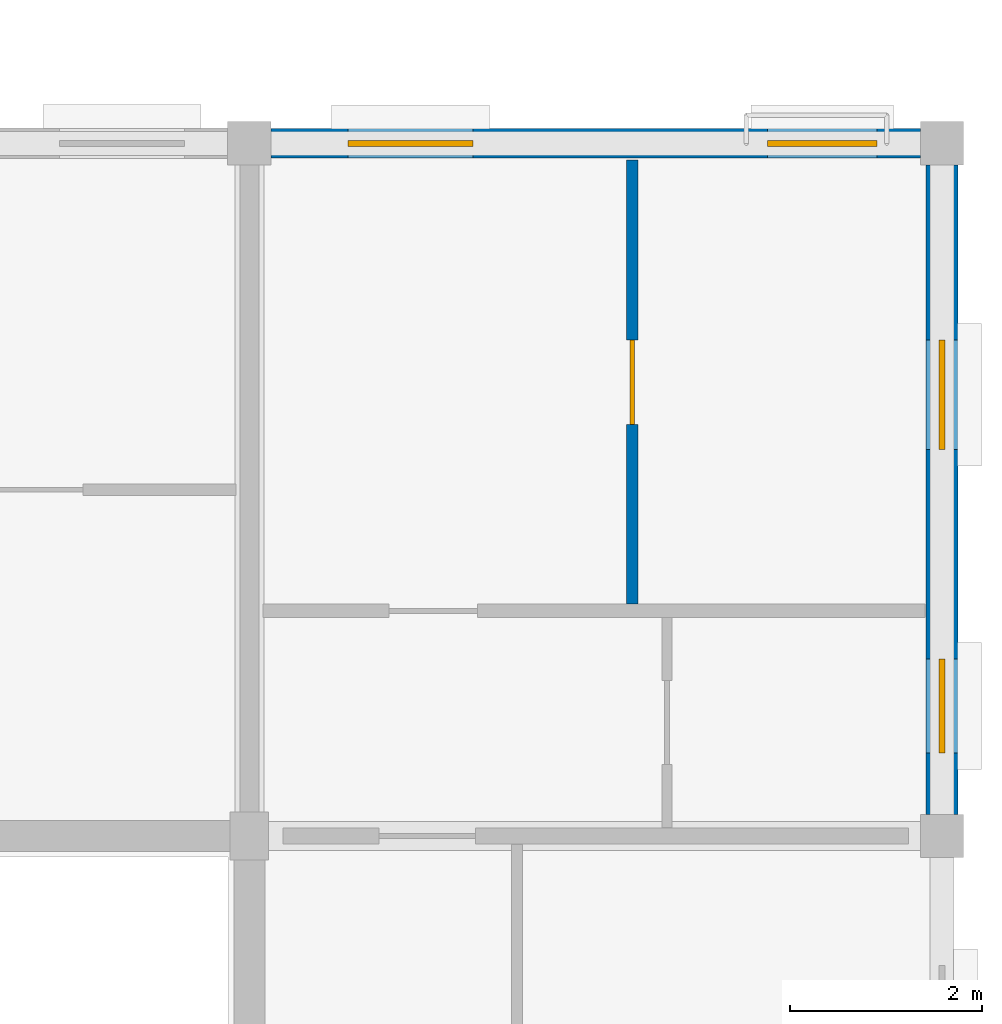
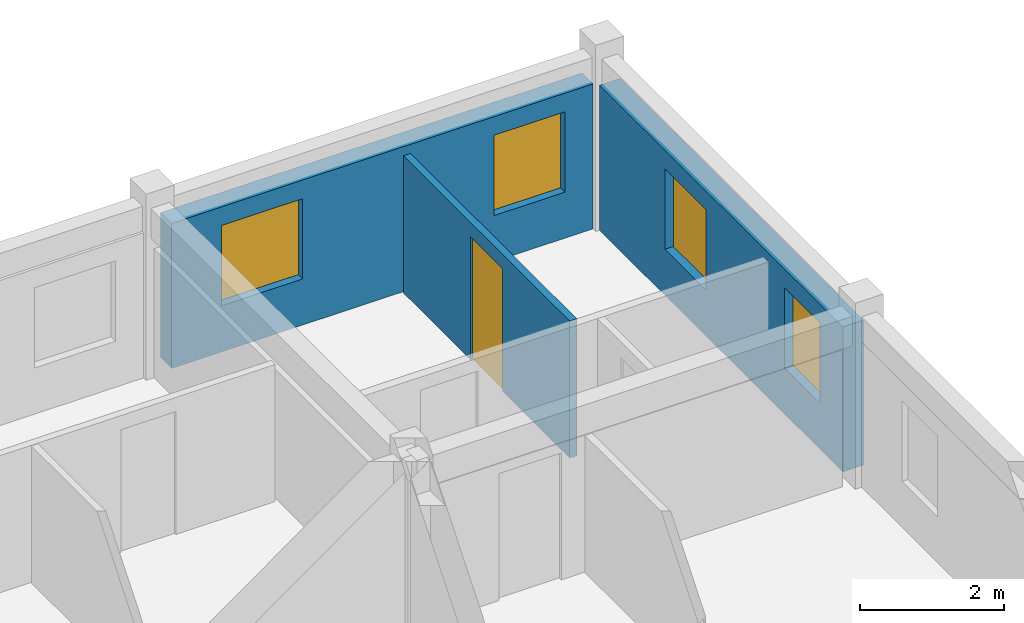
# One storey, part 25 of 28: 4 windows, 3 walls, 1 door, 5 openings.
"""IFC4 building model written with IfcOpenShell, lengths in metres."""

import ifcopenshell
import ifcopenshell.guid

model = None  # the IFC model being written
_history = None  # IfcOwnerHistory: only IFC2X3 demands one
_inside = {}  # id of a spatial element -> (the spatial element, [elements in it])
_under = {}  # id of a project, library or spatial element -> (it, [spatial elements below it])
_declared = {}  # id of a project -> (the project, [libraries it declares])
_typed = {}  # id of a type object -> (the type object, [elements of that type])
_made_of = {}  # id of a material, layer set ... -> (it, [elements and type objects made of it])


def new_model(schema):
    """Start an empty IFC model of exactly this schema.

    Asked for "IFC4X3", IfcOpenShell would pick the latest addendum, in which some entities
    have other attributes; the version numbers below select the first issue.
    IFC2X3 requires an IfcOwnerHistory on every rooted entity: one is made here for all.
    """
    global model, _history
    if schema == "IFC4X3":
        model = ifcopenshell.file(schema_version=(4, 3, 0, 0))
    else:
        model = ifcopenshell.file(schema=schema)
    _inside.clear()
    _under.clear()
    _declared.clear()
    _typed.clear()
    _made_of.clear()
    _history = None
    if model.schema == "IFC2X3":
        org = make("IfcOrganization", Name="unknown")
        user = make(
            "IfcPersonAndOrganization",
            ThePerson=make("IfcPerson", FamilyName="unknown"),
            TheOrganization=org,
        )
        app = make(
            "IfcApplication",
            ApplicationDeveloper=org,
            Version="unknown",
            ApplicationFullName="unknown",
            ApplicationIdentifier="unknown",
        )
        _history = make(
            "IfcOwnerHistory",
            OwningUser=user,
            OwningApplication=app,
            ChangeAction="ADDED",
            CreationDate=0,
        )
    return model


def make(cls, **values):
    """One entity of the class cls with the attributes given. An attribute that is None is left unset."""
    return model.create_entity(
        cls, **{name: value for name, value in values.items() if value is not None}
    )


def rooted(cls, **values):
    """An entity with a GlobalId (a new one), such as an element, a storey or a relation."""
    return make(cls, GlobalId=ifcopenshell.guid.new(), OwnerHistory=_history, **values)


def si_unit(unit_type, name, prefix=None):
    """IfcSIUnit, for example si_unit("LENGTHUNIT", "METRE", prefix="MILLI")."""
    return make("IfcSIUnit", UnitType=unit_type, Prefix=prefix, Name=name)


def assignment(units):
    """IfcUnitAssignment: the units of a project."""
    return None if units is None else make("IfcUnitAssignment", Units=units)


def point(xyz):
    """IfcCartesianPoint."""
    return None if xyz is None else make("IfcCartesianPoint", Coordinates=xyz)


def direction(xyz):
    """IfcDirection."""
    return None if xyz is None else make("IfcDirection", DirectionRatios=xyz)


def frame(location, z_axis=None, x_axis=None):
    """IfcAxis2Placement3D, a coordinate frame: its origin and axes. An axis left out is left unset."""
    return make(
        "IfcAxis2Placement3D",
        Location=point(location),
        Axis=direction(z_axis),
        RefDirection=direction(x_axis),
    )


def frame_2d(location, x_axis=None):
    """IfcAxis2Placement2D, a coordinate frame in the plane: its origin and x axis."""
    return make(
        "IfcAxis2Placement2D", Location=point(location), RefDirection=direction(x_axis)
    )


def origin():
    """The frame at (0, 0, 0) with its axes left unset."""
    return frame((0.0, 0.0, 0.0))


def place(relative_to, where):
    """IfcLocalPlacement: puts the frame where relative to a parent placement (None: the world)."""
    return make(
        "IfcLocalPlacement", PlacementRelTo=relative_to, RelativePlacement=where
    )


def context(
    kind, dimensions, precision=None, world=None, true_north=None, identifier=None
):
    """IfcGeometricRepresentationContext, for example the 3D "Model" context."""
    return make(
        "IfcGeometricRepresentationContext",
        ContextIdentifier=identifier,
        ContextType=kind,
        CoordinateSpaceDimension=dimensions,
        Precision=precision,
        WorldCoordinateSystem=world,
        TrueNorth=true_north,
    )


def subcontext(parent, identifier, kind, view, scale=None):
    """IfcGeometricRepresentationSubContext, for example "Body" below "Model"."""
    return make(
        "IfcGeometricRepresentationSubContext",
        ContextIdentifier=identifier,
        ContextType=kind,
        ParentContext=parent,
        TargetScale=scale,
        TargetView=view,
    )


def project(units=None, contexts=None):
    """IfcProject with its units and contexts."""
    return rooted(
        "IfcProject",
        Name="project",
        RepresentationContexts=contexts,
        UnitsInContext=assignment(units),
    )


def spatial(cls, under=None, at=None, **own):
    """A site, building, storey or space (cls), placed at a placement, below another one or the project."""
    s = rooted(cls, ObjectPlacement=at, **own)
    if under is not None:
        _under.setdefault(under.id(), (under, []))[1].append(s)
    return s


def profile(cls, at=None, kind="AREA", **sizes):
    """A parametric profile (cls). Its sizes go by their IFC names, for example OverallWidth=200.0."""
    return make(cls, ProfileType=kind, Position=at, **sizes)


def rectangle(**sizes):
    """IfcRectangleProfileDef."""
    return profile("IfcRectangleProfileDef", **sizes)


def extrude(swept, where, along, depth):
    """IfcExtrudedAreaSolid: the profile swept, set in the frame where, extruded along a direction by depth."""
    return make(
        "IfcExtrudedAreaSolid",
        SweptArea=swept,
        Position=where,
        ExtrudedDirection=direction(along),
        Depth=depth,
    )


def shape(context_of_items, identifier, shape_type, items):
    """IfcShapeRepresentation: the items that make up one representation, for example the "Body"."""
    return make(
        "IfcShapeRepresentation",
        ContextOfItems=context_of_items,
        RepresentationIdentifier=identifier,
        RepresentationType=shape_type,
        Items=items,
    )


def material(Name=None, Category=None):
    """IfcMaterial."""
    return make("IfcMaterial", Name=Name, Category=Category)


def layer(
    of_material, thickness, ventilated=None, Name=None, Category=None, Priority=None
):
    """IfcMaterialLayer: one layer of a wall or slab, of a material (None: an air gap)."""
    return make(
        "IfcMaterialLayer",
        Material=of_material,
        LayerThickness=thickness,
        IsVentilated=ventilated,
        Name=Name,
        Category=Category,
        Priority=Priority,
    )


def layer_set(layers, Name=None):
    """IfcMaterialLayerSet."""
    return make("IfcMaterialLayerSet", MaterialLayers=layers, LayerSetName=Name)


def made_of(thing, what):
    """Note that an element or type object is made of a material, layer set ...; save() writes the relation."""
    if what is not None:
        _made_of.setdefault(what.id(), (what, []))[1].append(thing)
    return thing


def type_object(cls, material=None, **own):
    """A type object (cls), such as IfcWallType, which elements share."""
    return made_of(rooted(cls, **own), material)


def element(
    cls,
    number,
    at=None,
    inside=None,
    cuts=None,
    type_object=None,
    material=None,
    context=None,
    identifier="Body",
    shape_type=None,
    held_by="IfcProductDefinitionShape",
    body=None,
    shapes=None,
    **own,
):
    """One element of the class cls, such as IfcWall. Its Tag is "e" and its number.

    at: its placement. inside: the storey or other place that contains it. cuts: it is an
    opening in that element (IfcRelVoidsElement). A single representation is given by context,
    identifier, shape_type and body (its items); several are given by shapes. held_by: the class
    of the entity that holds the representations. save() writes the other relations.
    """
    e = rooted(cls, Tag="e%d" % number, ObjectPlacement=at, **own)
    if body is not None:
        shapes = [shape(context, identifier, shape_type, body)]
    if shapes is not None:
        e.Representation = make(held_by, Representations=shapes)
    if inside is not None:
        _inside.setdefault(inside.id(), (inside, []))[1].append(e)
    if cuts is not None:
        rooted(
            "IfcRelVoidsElement", RelatingBuildingElement=cuts, RelatedOpeningElement=e
        )
    if type_object is not None:
        _typed.setdefault(type_object.id(), (type_object, []))[1].append(e)
    return made_of(e, material)


def fill(opening, filler):
    """IfcRelFillsElement: the door or window that sits in an opening."""
    return rooted(
        "IfcRelFillsElement",
        RelatingOpeningElement=opening,
        RelatedBuildingElement=filler,
    )


def aggregate(whole, parts):
    """IfcRelAggregates: a whole, such as a stair, and the parts it consists of."""
    return rooted("IfcRelAggregates", RelatingObject=whole, RelatedObjects=parts)


def save(model, path):
    """Write the relations noted so far, then the file.

    IfcRelAggregates (storeys below a building ...), IfcRelContainedInSpatialStructure (elements
    in a storey), IfcRelDefinesByType, IfcRelAssociatesMaterial and IfcRelDeclares: one each for
    every whole, place, type object, material and project.
    """
    for whole, parts in _under.values():
        aggregate(whole, parts)
    for where, things in _inside.values():
        rooted(
            "IfcRelContainedInSpatialStructure",
            RelatedElements=things,
            RelatingStructure=where,
        )
    for kind, things in _typed.values():
        rooted("IfcRelDefinesByType", RelatedObjects=things, RelatingType=kind)
    for what, things in _made_of.values():
        rooted("IfcRelAssociatesMaterial", RelatedObjects=things, RelatingMaterial=what)
    for by, libraries in _declared.values():
        rooted("IfcRelDeclares", RelatingContext=by, RelatedDefinitions=libraries)
    model.write(path)


model = new_model("IFC4")

# Units and contexts
model_context = context("Model", 3, precision=1e-05, world=origin(), true_north=direction((0.0, 1.0)))
body_context = subcontext(model_context, "Body", "Model", "MODEL_VIEW")
ifc_project = project(units=[si_unit("LENGTHUNIT", "METRE"), si_unit("AREAUNIT", "SQUARE_METRE"), si_unit("VOLUMEUNIT", "CUBIC_METRE"), si_unit("PLANEANGLEUNIT", "RADIAN"), si_unit("MASSUNIT", "GRAM", prefix="KILO"), si_unit("THERMODYNAMICTEMPERATUREUNIT", "KELVIN"), si_unit("POWERUNIT", "WATT")], contexts=[model_context])

# Site, building, storey
site_placement = place(None, origin())
site = spatial("IfcSite", under=ifc_project, at=site_placement, CompositionType="ELEMENT")
building_placement = place(site_placement, origin())
building = spatial("IfcBuilding", under=site, at=building_placement, Name="Tavuni Mirador Residences", CompositionType="ELEMENT")
storey_placement = place(building_placement, frame((0.0, 0.0, 39.14990234375)))
storey = spatial("IfcBuildingStorey", under=building, at=storey_placement, Name="L12", CompositionType="ELEMENT", Elevation=39.14990234375)

# Wall, openings, windows
ifc_material_1 = material(Name="Precast concrete C40/50", Category="concrete")
ifc_layer_1 = layer(ifc_material_1, 0.330078125, Name="Precast concrete C40/50", Category="concrete")
ifc_layer_set_1 = layer_set([ifc_layer_1], Name="Precast concrete C40/50")
wall_type_1 = type_object("IfcWallType", Name="WT-EXT-COR330", PredefinedType="SOLIDWALL", material=ifc_layer_set_1)
wall_1_placement = place(storey_placement, frame((54.0, 165.824951171875, 0.0), z_axis=(0.0, 0.0, 1.0), x_axis=(0.0, 1.0, 0.0)))
wall_1 = element("IfcWall", 1, at=wall_1_placement, inside=storey, type_object=wall_type_1, Name="EW-BLK-C-L12-E02", PredefinedType="SOLIDWALL", context=body_context, shape_type="SweptSolid", body=[
    extrude(rectangle(XDim=6.75, YDim=0.330078125, at=frame_2d((3.375, 0.0))), origin(), (0.0, 0.0, 1.0), 2.455078125),
])
opening_1_placement = place(wall_1_placement, frame((0.637451171875, 0.0, 0.780029296875)))
opening_1 = element("IfcOpeningElement", 2, at=opening_1_placement, cuts=wall_1, Name="Opening WN-18", PredefinedType="OPENING", context=body_context, shape_type="SweptSolid", body=[
    extrude(rectangle(XDim=0.97998046875, YDim=1.360107421875, at=frame_2d((0.489990234375, 0.68017578125))), frame((0.0, 0.175048828125, 0.0), z_axis=(0.0, -1.0, 0.0), x_axis=(1.0, 0.0, 0.0)), (0.0, 0.0, 1.0), 0.35009765625),
])
opening_2_placement = place(wall_1_placement, frame((3.79248046875, 0.0, 0.780029296875)))
opening_2 = element("IfcOpeningElement", 3, at=opening_2_placement, cuts=wall_1, Name="Opening WN-20", PredefinedType="OPENING", context=body_context, shape_type="SweptSolid", body=[
    extrude(rectangle(XDim=1.139892578125, YDim=1.360107421875, at=frame_2d((0.56982421875, 0.68017578125))), frame((0.0, 0.175048828125, 0.0), z_axis=(0.0, -1.0, 0.0), x_axis=(1.0, 0.0, 0.0)), (0.0, 0.0, 1.0), 0.35009765625),
])
ifc_material_2 = material(Name="Laminated solar-control glass", Category="glass")
window_type_1 = type_object("IfcWindowType", Name="WNT-18", PartitioningType="SINGLE_PANEL", PredefinedType="WINDOW", material=ifc_material_2)
window_1_placement = place(opening_1_placement, origin())
window_1 = element("IfcWindow", 4, at=window_1_placement, inside=storey, type_object=window_type_1, Name="WIN-1355", OverallHeight=1.360107421875, OverallWidth=0.97998046875, PartitioningType="SINGLE_PANEL", PredefinedType="WINDOW", context=body_context, shape_type="SweptSolid", body=[
    extrude(rectangle(XDim=0.97998046875, YDim=1.360107421875, at=frame_2d((0.489990234375, 0.68017578125))), frame((0.0, 0.030029296875, 0.0), z_axis=(0.0, -1.0, 0.0), x_axis=(1.0, 0.0, 0.0)), (0.0, 0.0, 1.0), 0.06005859375),
])
fill(opening_1, window_1)
window_type_2 = type_object("IfcWindowType", Name="WNT-20", PartitioningType="SINGLE_PANEL", PredefinedType="WINDOW", material=ifc_material_2)
window_2_placement = place(opening_2_placement, origin())
window_2 = element("IfcWindow", 5, at=window_2_placement, inside=storey, type_object=window_type_2, Name="WIN-1356", OverallHeight=1.360107421875, OverallWidth=1.139892578125, PartitioningType="SINGLE_PANEL", PredefinedType="WINDOW", context=body_context, shape_type="SweptSolid", body=[
    extrude(rectangle(XDim=1.139892578125, YDim=1.360107421875, at=frame_2d((0.56982421875, 0.68017578125))), frame((0.0, 0.030029296875, 0.0), z_axis=(0.0, -1.0, 0.0), x_axis=(1.0, 0.0, 0.0)), (0.0, 0.0, 1.0), 0.06005859375),
])
fill(opening_2, window_2)

ifc_material_3 = material(Name="Sgraffito lime-rendered precast concrete C40/50", Category="concrete")
ifc_layer_2 = layer(ifc_material_3, 0.304931640625, Name="Sgraffito lime-rendered precast concrete C40/50", Category="concrete")
ifc_layer_set_2 = layer_set([ifc_layer_2], Name="Sgraffito lime-rendered precast concrete C40/50")
wall_type_2 = type_object("IfcWallType", Name="WT-EXT-PC305", PredefinedType="SOLIDWALL", material=ifc_layer_set_2)
wall_2_placement = place(storey_placement, frame((53.77490234375, 172.800048828125, 0.0), z_axis=(0.0, 0.0, 1.0), x_axis=(-1.0, 0.0, 0.0)))
wall_2 = element("IfcWall", 6, at=wall_2_placement, inside=storey, type_object=wall_type_2, Name="EW-BLK-C-L12-N04", PredefinedType="SOLIDWALL", context=body_context, shape_type="SweptSolid", body=[
    extrude(rectangle(XDim=6.75, YDim=0.304931640625, at=frame_2d((3.375, 0.0))), origin(), (0.0, 0.0, 1.0), 2.455078125),
])
opening_3_placement = place(wall_2_placement, frame((0.449951171875, 0.0, 0.780029296875)))
opening_3 = element("IfcOpeningElement", 7, at=opening_3_placement, cuts=wall_2, Name="Opening WN-20", PredefinedType="OPENING", context=body_context, shape_type="SweptSolid", body=[
    extrude(rectangle(XDim=1.139892578125, YDim=1.360107421875, at=frame_2d((0.56982421875, 0.68017578125))), frame((0.0, 0.16259765625, 0.0), z_axis=(0.0, -1.0, 0.0), x_axis=(1.0, 0.0, 0.0)), (0.0, 0.0, 1.0), 0.324951171875),
])
opening_4_placement = place(wall_2_placement, frame((4.64990234375, 0.0, 0.780029296875)))
opening_4 = element("IfcOpeningElement", 8, at=opening_4_placement, cuts=wall_2, Name="Opening WN-22", PredefinedType="OPENING", context=body_context, shape_type="SweptSolid", body=[
    extrude(rectangle(XDim=1.300048828125, YDim=1.360107421875, at=frame_2d((0.64990234375, 0.68017578125))), frame((0.0, 0.16259765625, 0.0), z_axis=(0.0, -1.0, 0.0), x_axis=(1.0, 0.0, 0.0)), (0.0, 0.0, 1.0), 0.324951171875),
])
window_3_placement = place(opening_3_placement, origin())
window_3 = element("IfcWindow", 9, at=window_3_placement, inside=storey, type_object=window_type_2, Name="WIN-1357", OverallHeight=1.360107421875, OverallWidth=1.139892578125, PartitioningType="SINGLE_PANEL", PredefinedType="WINDOW", context=body_context, shape_type="SweptSolid", body=[
    extrude(rectangle(XDim=1.139892578125, YDim=1.360107421875, at=frame_2d((0.56982421875, 0.68017578125))), frame((0.0, 0.030029296875, 0.0), z_axis=(0.0, -1.0, 0.0), x_axis=(1.0, 0.0, 0.0)), (0.0, 0.0, 1.0), 0.06005859375),
])
fill(opening_3, window_3)
window_type_3 = type_object("IfcWindowType", Name="WNT-22", PartitioningType="SINGLE_PANEL", PredefinedType="WINDOW", material=ifc_material_2)
window_4_placement = place(opening_4_placement, origin())
window_4 = element("IfcWindow", 10, at=window_4_placement, inside=storey, type_object=window_type_3, Name="WIN-1358", OverallHeight=1.360107421875, OverallWidth=1.300048828125, PartitioningType="SINGLE_PANEL", PredefinedType="WINDOW", context=body_context, shape_type="SweptSolid", body=[
    extrude(rectangle(XDim=1.300048828125, YDim=1.360107421875, at=frame_2d((0.64990234375, 0.68017578125))), frame((0.0, 0.030029296875, 0.0), z_axis=(0.0, -1.0, 0.0), x_axis=(1.0, 0.0, 0.0)), (0.0, 0.0, 1.0), 0.06005859375),
])
fill(opening_4, window_4)

# Wall, opening, door
ifc_material_4 = material(Name="Acoustic gypsum and concrete block partition", Category="concrete")
ifc_layer_3 = layer(ifc_material_4, 0.114990234375, Name="Acoustic gypsum and concrete block partition", Category="concrete")
ifc_layer_set_3 = layer_set([ifc_layer_3], Name="Acoustic gypsum and concrete block partition")
wall_type_3 = type_object("IfcWallType", Name="WT-PART115", PredefinedType="PARTITIONING", material=ifc_layer_set_3)
wall_3_placement = place(storey_placement, frame((50.780029296875, 168.010009765625, 0.0), z_axis=(0.0, 0.0, 1.0), x_axis=(0.0, 1.0, 0.0)))
wall_3 = element("IfcWall", 11, at=wall_3_placement, inside=storey, type_object=wall_type_3, Name="PW-BLK-C-L12-N04-OUT", PredefinedType="PARTITIONING", context=body_context, shape_type="SweptSolid", body=[
    extrude(rectangle(XDim=4.614990234375, YDim=0.114990234375, at=frame_2d((2.3076171875, 0.0))), origin(), (0.0, 0.0, 1.0), 2.320068359375),
])
opening_5_placement = place(wall_3_placement, frame((1.867431640625, 0.0, 0.0)))
opening_5 = element("IfcOpeningElement", 12, at=opening_5_placement, cuts=wall_3, Name="Opening D-08", PredefinedType="OPENING", context=body_context, shape_type="SweptSolid", body=[
    extrude(rectangle(XDim=0.8798828125, YDim=2.080078125, at=frame_2d((0.43994140625, 1.0400390625))), frame((0.0, 0.0673828125, 0.0), z_axis=(0.0, -1.0, 0.0), x_axis=(1.0, 0.0, 0.0)), (0.0, 0.0, 1.0), 0.135009765625),
])
ifc_material_5 = material(Name="Solid core iroko timber", Category="wood")
door_type = type_object("IfcDoorType", Name="DT-BED880", OperationType="NOTDEFINED", PredefinedType="DOOR", material=ifc_material_5)
door_placement = place(opening_5_placement, origin())
door = element("IfcDoor", 13, at=door_placement, inside=storey, type_object=door_type, Name="DR-4255", OperationType="SINGLE_SWING_LEFT", OverallHeight=2.080078125, OverallWidth=0.8798828125, PredefinedType="DOOR", context=body_context, shape_type="SweptSolid", body=[
    extrude(rectangle(XDim=0.8798828125, YDim=2.080078125, at=frame_2d((0.43994140625, 1.0400390625))), frame((0.0, 0.02490234375, 0.0), z_axis=(0.0, -1.0, 0.0), x_axis=(1.0, 0.0, 0.0)), (0.0, 0.0, 1.0), 0.050048828125),
])
fill(opening_5, door)

save(model, "model.ifc")
